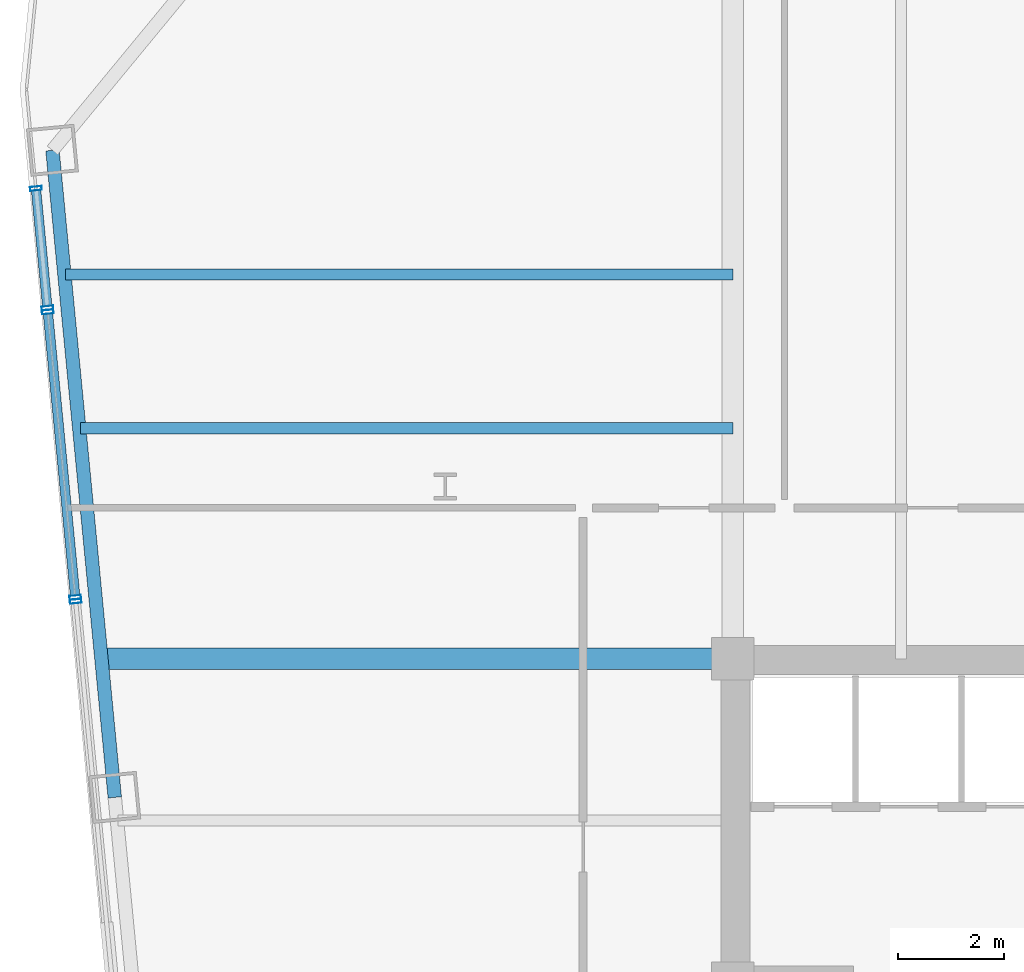
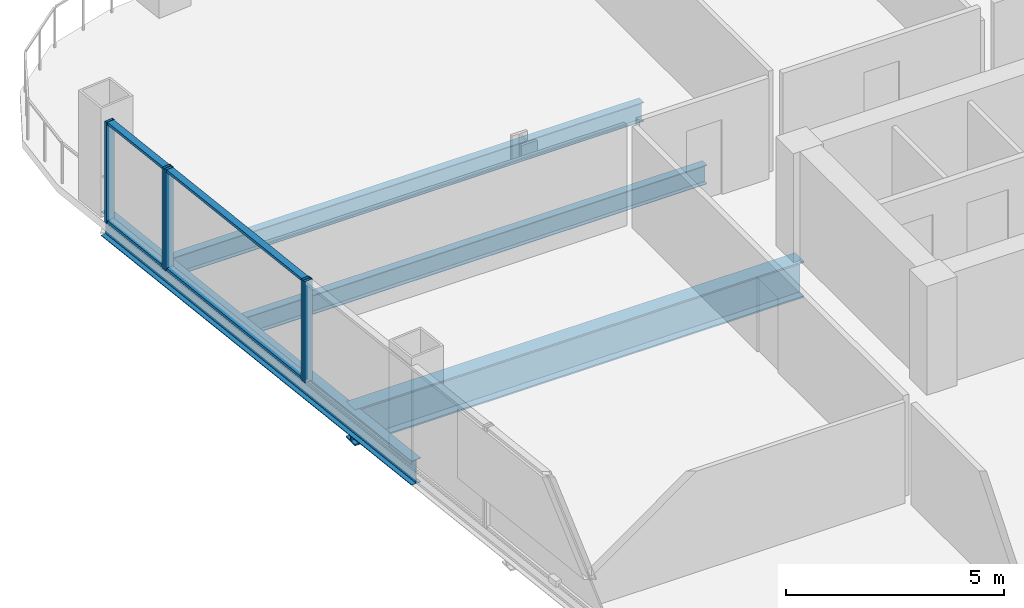
# One storey, part 14 of 27: 9 members, 4 beams, 3 elements without a shape of their own.
"""IFC4 building model written with IfcOpenShell, lengths in metres."""

from ifc_helpers import new_model, si_unit, direction, frame, origin, origin_2d, place, context, subcontext, project, spatial, hollow_rectangle, i_section, extrude, material, layer, layer_set, material_profile, profile_set, type_object, element, aggregate, save


model = new_model("IFC4")

# Units and contexts
model_context = context("Model", 3, precision=1e-05, world=origin(), true_north=direction((0.0, 1.0)))
body_context = subcontext(model_context, "Body", "Model", "MODEL_VIEW")
ifc_project = project(units=[si_unit("LENGTHUNIT", "METRE"), si_unit("AREAUNIT", "SQUARE_METRE"), si_unit("VOLUMEUNIT", "CUBIC_METRE"), si_unit("PLANEANGLEUNIT", "RADIAN"), si_unit("MASSUNIT", "GRAM", prefix="KILO")], contexts=[model_context])

# Site, building, storey
site_placement = place(None, origin())
site = spatial("IfcSite", under=ifc_project, at=site_placement, CompositionType="ELEMENT")
building_placement = place(site_placement, origin())
building = spatial("IfcBuilding", under=site, at=building_placement, Name="Qhalaya Broadcast Tower", CompositionType="ELEMENT")
storey_placement = place(building_placement, frame((0.0, 0.0, 84.699951171875)))
storey = spatial("IfcBuildingStorey", under=building, at=storey_placement, Name="L24", CompositionType="ELEMENT", Elevation=84.699951171875)

# Beams
ifc_material_1 = material(Name="Structural Steel ASTM A992 Grade 50", Category="steel")
ifc_material_profile_1 = material_profile(ifc_material_1, i_section(OverallWidth=0.2099609375, OverallDepth=0.535888671875, WebThickness=0.010986328125, FlangeThickness=0.017333984375, at=origin_2d()), Name="W21X68")
ifc_profile_set_1 = profile_set([ifc_material_profile_1], Name="Structural Steel ASTM A992 Grade 50")
beam_type_1 = type_object("IfcBeamType", Name="Composite Floor Joist J02", PredefinedType="JOIST", material=ifc_profile_set_1)
beam_1_placement = place(storey_placement, frame((-21.6875, 14.300048828125, -0.488037109375), z_axis=(1.0, 0.0, 0.0), x_axis=(0.0, 1.0, 0.0)))
element("IfcBeam", 1, at=beam_1_placement, inside=storey, type_object=beam_type_1, Name="L24 J02 L24-JWE6W-1", PredefinedType="JOIST", context=body_context, shape_type="SweptSolid", body=[
    extrude(i_section(OverallWidth=0.2099609375, OverallDepth=0.535888671875, WebThickness=0.010986328125, FlangeThickness=0.017333984375, at=origin_2d()), origin(), (0.0, 0.0, 1.0), 12.3125),
])
beam_2_placement = place(storey_placement, frame((-21.966796875, 17.199951171875, -0.488037109375), z_axis=(1.0, 0.0, 0.0), x_axis=(0.0, 1.0, 0.0)))
element("IfcBeam", 2, at=beam_2_placement, inside=storey, type_object=beam_type_1, Name="L24 J02 L24-JWE7W-1", PredefinedType="JOIST", context=body_context, shape_type="SweptSolid", body=[
    extrude(i_section(OverallWidth=0.2099609375, OverallDepth=0.535888671875, WebThickness=0.010986328125, FlangeThickness=0.017333984375, at=origin_2d()), origin(), (0.0, 0.0, 1.0), 12.591796875),
])
ifc_material_profile_2 = material_profile(ifc_material_1, i_section(OverallWidth=0.40087890625, OverallDepth=1.010986328125, WebThickness=0.023681640625, FlangeThickness=0.0419921875, at=origin_2d()), Name="W40X297")
ifc_profile_set_2 = profile_set([ifc_material_profile_2], Name="Structural Steel ASTM A992 Grade 50")
beam_type_2 = type_object("IfcBeamType", Name="Lower Block Primary Girder PG2", PredefinedType="USERDEFINED", material=ifc_profile_set_2)
beam_3_placement = place(storey_placement, frame((-21.2685546875, 9.949951171875, -0.725341796875), z_axis=(1.0, 0.0, 0.0), x_axis=(0.0, 1.0, 0.0)))
element("IfcBeam", 3, at=beam_3_placement, inside=storey, type_object=beam_type_2, Name="L24 PG2 L24-PGYW4-1", ObjectType="GIRDER", PredefinedType="USERDEFINED", context=body_context, shape_type="SweptSolid", body=[
    extrude(i_section(OverallWidth=0.40087890625, OverallDepth=1.010986328125, WebThickness=0.023681640625, FlangeThickness=0.0419921875, at=origin_2d()), origin(), (0.0, 0.0, 1.0), 11.8935546875),
])
ifc_material_profile_3 = material_profile(ifc_material_1, i_section(OverallWidth=0.25390625, OverallDepth=0.68310546875, WebThickness=0.012451171875, FlangeThickness=0.01904296875, at=origin_2d()), Name="W27X94")
ifc_profile_set_3 = profile_set([ifc_material_profile_3], Name="Structural Steel ASTM A992 Grade 50")
beam_type_3 = type_object("IfcBeamType", Name="Perimeter Ring Spandrel Beam SP1", PredefinedType="SPANDREL", material=ifc_profile_set_3)
beam_4_placement = place(storey_placement, frame((-22.212646484375, 19.54541015625, -0.5615234375), z_axis=(0.095851586307, -0.99539563662, 0.0), x_axis=(0.99539563662, 0.095851586307, 0.0)))
element("IfcBeam", 4, at=beam_4_placement, inside=storey, type_object=beam_type_3, Name="L24 SP1 L24-SPR-13", PredefinedType="SPANDREL", context=body_context, shape_type="SweptSolid", body=[
    extrude(i_section(OverallWidth=0.25390625, OverallDepth=0.68310546875, WebThickness=0.012451171875, FlangeThickness=0.01904296875, at=origin_2d()), origin(), (0.0, 0.0, 1.0), 12.2666015625),
])

# Curtain wall, members
ifc_material_2 = material(Name="Fired Architectural Terracotta", Category="masonry")
ifc_layer_1 = layer(ifc_material_2, 0.219970703125, Name="Fired Architectural Terracotta")
ifc_layer_set_1 = layer_set([ifc_layer_1], Name="Fired Architectural Terracotta")
curtain_wall_type_1 = type_object("IfcCurtainWallType", Name="Block-Cap Unitised Terracotta Spandrel Wall CW-07", PredefinedType="NOTDEFINED", material=ifc_layer_set_1)
curtain_wall_1_placement = place(storey_placement, origin())
curtain_wall_1 = element("IfcCurtainWall", 5, at=curtain_wall_1_placement, inside=storey, type_object=curtain_wall_type_1, Name="L24 Unitised Curtain Wall L24-CW-W1", PredefinedType="NOTDEFINED")
ifc_material_3 = material(Name="Anodised Aluminium 6063-T6", Category="aluminium")
ifc_material_profile_4 = material_profile(ifc_material_3, hollow_rectangle(XDim=0.074951171875, YDim=0.219970703125, WallThickness=0.00390625, at=origin_2d()), Name="ALU-MUL 75x220x4")
ifc_profile_set_4 = profile_set([ifc_material_profile_4], Name="Anodised Aluminium 6063-T6")
member_type_1 = type_object("IfcMemberType", Name="Unitised Curtain-Wall Mullion M01", PredefinedType="MULLION", material=ifc_profile_set_4)
member_1_placement = place(storey_placement, frame((-22.52490234375, 18.82470703125, 0.0), z_axis=(0.0, 0.0, 1.0), x_axis=(0.095855723819, -0.99539523819, 0.0)))
member_1 = element("IfcMember", 6, at=member_1_placement, type_object=member_type_1, Name="CW-07 mullion 1", PredefinedType="MULLION", context=body_context, shape_type="SweptSolid", body=[
    extrude(hollow_rectangle(XDim=0.074951171875, YDim=0.219970703125, WallThickness=0.00390625, at=origin_2d()), origin(), (0.0, 0.0, 1.0), 2.830078125),
])
member_2_placement = place(storey_placement, frame((-22.307861328125, 16.570068359375, 0.0), z_axis=(0.0, 0.0, 1.0), x_axis=(0.095855723819, -0.99539523819, 0.0)))
member_2 = element("IfcMember", 7, at=member_2_placement, type_object=member_type_1, Name="CW-07 mullion 2", PredefinedType="MULLION", context=body_context, shape_type="SweptSolid", body=[
    extrude(hollow_rectangle(XDim=0.074951171875, YDim=0.219970703125, WallThickness=0.00390625, at=origin_2d()), origin(), (0.0, 0.0, 1.0), 2.830078125),
])

ifc_material_4 = material(Name="Solar-Control Low-E Triple Glazing", Category="glass")
ifc_layer_2 = layer(ifc_material_4, 0.219970703125, Name="Solar-Control Low-E Triple Glazing")
ifc_layer_set_2 = layer_set([ifc_layer_2], Name="Solar-Control Low-E Triple Glazing")
curtain_wall_type_2 = type_object("IfcCurtainWallType", Name="Even-Block 4-Storey Double-Module Curtain Wall CW-03", PredefinedType="NOTDEFINED", material=ifc_layer_set_2)
curtain_wall_2_placement = place(storey_placement, origin())
curtain_wall_2 = element("IfcCurtainWall", 8, at=curtain_wall_2_placement, inside=storey, type_object=curtain_wall_type_2, Name="L24 Unitised Curtain Wall L24-CW-W2", PredefinedType="NOTDEFINED")
member_3_placement = place(storey_placement, frame((-22.30078125, 16.495361328125, 0.0), z_axis=(0.0, 0.0, 1.0), x_axis=(0.095843001098, -0.995396463295, 0.0)))
member_3 = element("IfcMember", 9, at=member_3_placement, type_object=member_type_1, Name="CW-03 mullion 1", PredefinedType="MULLION", context=body_context, shape_type="SweptSolid", body=[
    extrude(hollow_rectangle(XDim=0.074951171875, YDim=0.219970703125, WallThickness=0.00390625, at=origin_2d()), origin(), (0.0, 0.0, 1.0), 2.830078125),
])
member_4_placement = place(storey_placement, frame((-21.781982421875, 11.109375, 0.0), z_axis=(0.0, 0.0, 1.0), x_axis=(0.095843001098, -0.995396463295, 0.0)))
member_4 = element("IfcMember", 10, at=member_4_placement, type_object=member_type_1, Name="CW-03 mullion 2", PredefinedType="MULLION", context=body_context, shape_type="SweptSolid", body=[
    extrude(hollow_rectangle(XDim=0.074951171875, YDim=0.219970703125, WallThickness=0.00390625, at=origin_2d()), origin(), (0.0, 0.0, 1.0), 2.830078125),
])

# Curtain wall, member
curtain_wall_3_placement = place(storey_placement, origin())
curtain_wall_3 = element("IfcCurtainWall", 11, at=curtain_wall_3_placement, inside=storey, type_object=curtain_wall_type_1, Name="L24 Unitised Curtain Wall L24-CW-W3", PredefinedType="NOTDEFINED")
member_5_placement = place(storey_placement, frame((-21.77490234375, 11.03466796875, 0.0), z_axis=(0.0, 0.0, 1.0), x_axis=(0.095850652435, -0.995395726547, 0.0)))
member_5 = element("IfcMember", 12, at=member_5_placement, type_object=member_type_1, Name="CW-07 mullion 1", PredefinedType="MULLION", context=body_context, shape_type="SweptSolid", body=[
    extrude(hollow_rectangle(XDim=0.074951171875, YDim=0.219970703125, WallThickness=0.00390625, at=origin_2d()), origin(), (0.0, 0.0, 1.0), 2.830078125),
])
aggregate(curtain_wall_3, [member_5])

# Member
ifc_material_profile_5 = material_profile(ifc_material_3, hollow_rectangle(XDim=0.074951171875, YDim=0.179931640625, WallThickness=0.00390625, at=origin_2d()), Name="ALU-TRN 75x180x4")
ifc_profile_set_5 = profile_set([ifc_material_profile_5], Name="Anodised Aluminium 6063-T6")
member_type_2 = type_object("IfcMemberType", Name="Unitised Curtain-Wall Transom T01", PredefinedType="USERDEFINED", material=ifc_profile_set_5)
member_6_placement = place(storey_placement, frame((-22.521484375, 18.787353515625, 0.03759765625), z_axis=(0.095871719122, -0.995393697726, 0.0), x_axis=(0.0, 0.0, 1.0)))
member_6 = element("IfcMember", 13, at=member_6_placement, type_object=member_type_2, Name="CW-07 transom 1.1", ObjectType="TRANSOM", PredefinedType="USERDEFINED", context=body_context, shape_type="SweptSolid", body=[
    extrude(hollow_rectangle(XDim=0.074951171875, YDim=0.179931640625, WallThickness=0.00390625, at=origin_2d()), origin(), (0.0, 0.0, 1.0), 2.18994140625),
])

member_7_placement = place(storey_placement, frame((-22.521484375, 18.787353515625, 2.79248046875), z_axis=(0.095871719122, -0.995393697726, 0.0), x_axis=(0.0, 0.0, 1.0)))
member_7 = element("IfcMember", 14, at=member_7_placement, type_object=member_type_2, Name="CW-07 transom 1.2", ObjectType="TRANSOM", PredefinedType="USERDEFINED", context=body_context, shape_type="SweptSolid", body=[
    extrude(hollow_rectangle(XDim=0.074951171875, YDim=0.179931640625, WallThickness=0.00390625, at=origin_2d()), origin(), (0.0, 0.0, 1.0), 2.18994140625),
])

aggregate(curtain_wall_1, [member_1, member_2, member_6, member_7])

member_8_placement = place(storey_placement, frame((-22.297119140625, 16.458251953125, 0.03759765625), z_axis=(0.09585189358, -0.995395607031, 0.0), x_axis=(0.0, 0.0, 1.0)))
member_8 = element("IfcMember", 15, at=member_8_placement, type_object=member_type_2, Name="CW-03 transom 1.1", ObjectType="TRANSOM", PredefinedType="USERDEFINED", context=body_context, shape_type="SweptSolid", body=[
    extrude(hollow_rectangle(XDim=0.074951171875, YDim=0.179931640625, WallThickness=0.00390625, at=origin_2d()), origin(), (0.0, 0.0, 1.0), 5.336181640625),
])

member_9_placement = place(storey_placement, frame((-22.297119140625, 16.458251953125, 2.79248046875), z_axis=(0.09585189358, -0.995395607031, 0.0), x_axis=(0.0, 0.0, 1.0)))
member_9 = element("IfcMember", 16, at=member_9_placement, type_object=member_type_2, Name="CW-03 transom 1.2", ObjectType="TRANSOM", PredefinedType="USERDEFINED", context=body_context, shape_type="SweptSolid", body=[
    extrude(hollow_rectangle(XDim=0.074951171875, YDim=0.179931640625, WallThickness=0.00390625, at=origin_2d()), origin(), (0.0, 0.0, 1.0), 5.336181640625),
])

aggregate(curtain_wall_2, [member_3, member_4, member_8, member_9])

save(model, "model.ifc")
